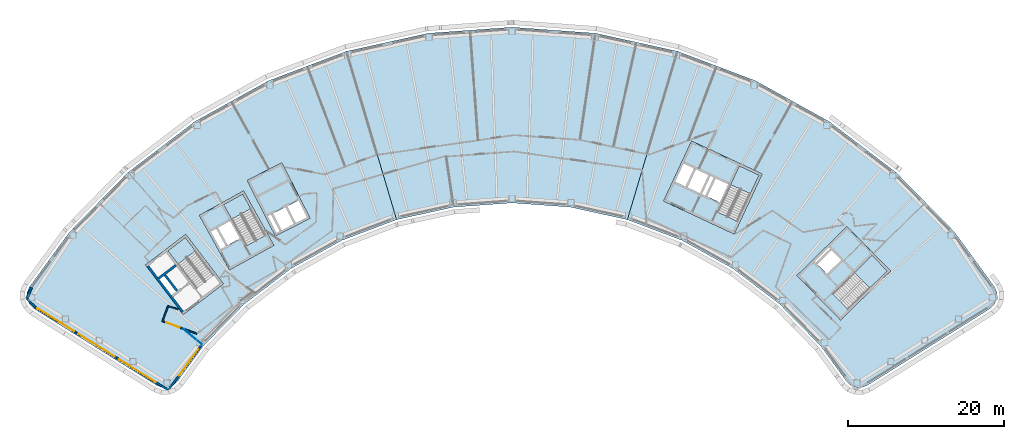
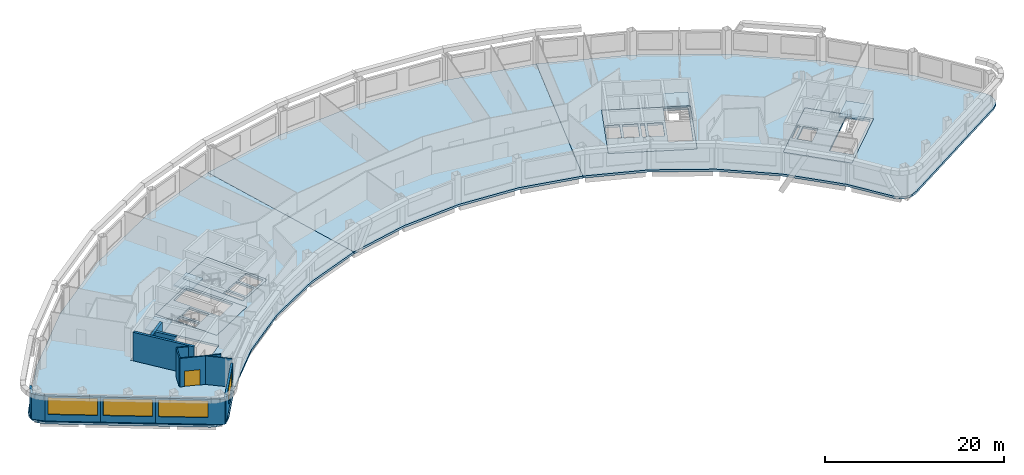
# One storey, part 4 of 13: 13 walls, 11 slabs, 4 windows, 1 door, 5 openings, 4 elements without a shape of their own.
"""IFC4 building model written with IfcOpenShell, lengths in metres."""

from ifc_helpers import new_model, si_unit, direction, frame, frame_2d, origin, place, context, subcontext, project, spatial, polyline, rectangle, outline, extrude, material, layer, layer_set, type_object, element, fill, aggregate, save


model = new_model("IFC4")

# Units and contexts
model_context = context("Model", 3, precision=1e-05, world=origin(), true_north=direction((0.0, 1.0)))
body_context = subcontext(model_context, "Body", "Model", "MODEL_VIEW")
ifc_project = project(units=[si_unit("LENGTHUNIT", "METRE"), si_unit("AREAUNIT", "SQUARE_METRE"), si_unit("VOLUMEUNIT", "CUBIC_METRE"), si_unit("PLANEANGLEUNIT", "RADIAN"), si_unit("MASSUNIT", "GRAM", prefix="KILO")], contexts=[model_context])

# Site, building, storey
site_placement = place(None, origin())
site = spatial("IfcSite", under=ifc_project, at=site_placement, CompositionType="ELEMENT")
building_placement = place(site_placement, origin())
building = spatial("IfcBuilding", under=site, at=building_placement, Name="Tuul Gate Civic Tower", CompositionType="ELEMENT")
storey_placement = place(building_placement, frame((0.0, 0.0, 230.5)))
storey = spatial("IfcBuildingStorey", under=building, at=storey_placement, Name="Level 52", CompositionType="ELEMENT", Elevation=230.5)

# Slabs
ifc_material_1 = material(Name="Concrete C40/50", Category="concrete")
ifc_layer_1 = layer(ifc_material_1, 0.300048828125)
ifc_layer_set_1 = layer_set([ifc_layer_1], Name="Concrete C40/50")
slab_type_1 = type_object("IfcSlabType", Name="Core floor slab 300", PredefinedType="FLOOR", material=ifc_layer_set_1)
slab_1_placement = place(storey_placement, frame((0.0, 0.0, -0.300048828125)))
element("IfcSlab", 1, at=slab_1_placement, inside=storey, type_object=slab_type_1, Name="FLOOR SLAB", PredefinedType="FLOOR", context=body_context, shape_type="SweptSolid", body=[
    extrude(outline(polyline([(-24.638916015625, -8.846923828125), (-28.51708984375, -1.849853515625), (-34.2021484375, -5.0009765625), (-30.32421875, -11.998046875), (-24.638916015625, -8.846923828125)]), holes=[polyline([(-29.0185546875, -7.958740234375), (-30.254638671875, -5.728515625), (-31.785400390625, -6.576904296875), (-30.54931640625, -8.80712890625), (-29.0185546875, -7.958740234375)]), polyline([(-30.8115234375, -8.95263671875), (-32.047607421875, -6.72216796875), (-32.8349609375, -7.158447265625), (-31.5986328125, -9.388916015625), (-30.8115234375, -8.95263671875)]), polyline([(-25.702392578125, -7.548828125), (-28.14990234375, -8.905517578125), (-31.08203125, -3.615234375), (-28.63427734375, -2.2587890625), (-25.702392578125, -7.548828125)])]), origin(), (0.0, 0.0, 1.0), 0.300048828125),
])
slab_2_placement = place(storey_placement, frame((0.0, 0.0, -0.300048828125)))
element("IfcSlab", 2, at=slab_2_placement, inside=storey, type_object=slab_type_1, Name="FLOOR SLAB", PredefinedType="FLOOR", context=body_context, shape_type="SweptSolid", body=[
    extrude(outline(polyline([(48.117919921875, -18.43310546875), (54.545166015625, -12.1328125), (48.945068359375, -6.419921875), (42.517822265625, -12.719970703125), (48.117919921875, -18.43310546875)]), holes=[polyline([(46.373779296875, -12.510986328125), (48.19482421875, -10.725830078125), (46.969970703125, -9.47607421875), (45.14892578125, -11.26123046875), (46.373779296875, -12.510986328125)]), polyline([(44.93896484375, -11.046875), (46.760009765625, -9.261962890625), (46.514892578125, -9.011962890625), (44.69384765625, -10.797119140625), (44.93896484375, -11.046875)]), polyline([(49.086181640625, -17.062744140625), (47.12744140625, -15.064208984375), (52.160888671875, -10.130126953125), (54.11962890625, -12.128662109375), (49.086181640625, -17.062744140625)])]), origin(), (0.0, 0.0, 1.0), 0.300048828125),
])
slab_3_placement = place(storey_placement, frame((0.0, 0.0, -0.300048828125)))
element("IfcSlab", 3, at=slab_3_placement, inside=storey, type_object=slab_type_1, Name="FLOOR SLAB", PredefinedType="FLOOR", context=body_context, shape_type="SweptSolid", body=[
    extrude(outline(polyline([(34.465087890625, -7.385986328125), (38.056884765625, 0.31787109375), (28.993896484375, 4.543701171875), (25.40185546875, -3.159912109375), (34.465087890625, -7.385986328125)]), holes=[polyline([(32.60888671875, -3.32080078125), (33.6865234375, -1.009765625), (32.1005859375, -0.27001953125), (31.02294921875, -2.581298828125), (32.60888671875, -3.32080078125)]), polyline([(30.0712890625, -2.137451171875), (31.14892578125, 0.173583984375), (29.562744140625, 0.9130859375), (28.4853515625, -1.39794921875), (30.0712890625, -2.137451171875)]), polyline([(30.751220703125, -2.454345703125), (31.82861328125, -0.143310546875), (31.4208984375, 0.046875), (30.34326171875, -2.264404296875), (30.751220703125, -2.454345703125)]), polyline([(28.21337890625, -1.27099609375), (29.291015625, 1.0400390625), (27.8408203125, 1.71630859375), (26.76318359375, -0.594970703125), (28.21337890625, -1.27099609375)]), polyline([(34.889892578125, -5.7626953125), (32.353759765625, -4.580078125), (35.120849609375, 1.354736328125), (37.6572265625, 0.17236328125), (34.889892578125, -5.7626953125)])]), origin(), (0.0, 0.0, 1.0), 0.300048828125),
])
ifc_material_2 = material(Name="Concrete C40/50", Category="concrete")
ifc_layer_2 = layer(ifc_material_2, 0.300048828125)
ifc_layer_set_2 = layer_set([ifc_layer_2], Name="Concrete C40/50")
slab_type_2 = type_object("IfcSlabType", Name="Core floor slab 300 non-bearing", PredefinedType="FLOOR", material=ifc_layer_set_2)
slab_4_placement = place(storey_placement, frame((0.0, 0.0, -0.300048828125)))
element("IfcSlab", 4, at=slab_4_placement, inside=storey, type_object=slab_type_2, Name="FLOOR SLAB", PredefinedType="FLOOR", context=body_context, shape_type="SweptSolid", body=[
    extrude(outline(polyline([(-19.98095703125, -5.365966796875), (-23.613037109375, 1.761962890625), (-28.068115234375, -0.508056640625), (-24.43603515625, -7.635986328125), (-19.98095703125, -5.365966796875)]), holes=[polyline([(-20.384521484375, -5.23486328125), (-21.47412109375, -3.096435546875), (-22.899658203125, -3.822998046875), (-21.81005859375, -5.961181640625), (-20.384521484375, -5.23486328125)]), polyline([(-22.077392578125, -6.097412109375), (-23.1669921875, -3.958984375), (-24.726318359375, -4.753662109375), (-23.63671875, -6.89208984375), (-22.077392578125, -6.097412109375)]), polyline([(-23.8359375, -7.161865234375), (-24.99365234375, -4.889892578125), (-25.5283203125, -5.162109375), (-24.37060546875, -7.434326171875), (-23.8359375, -7.161865234375)])]), origin(), (0.0, 0.0, 1.0), 0.300048828125),
])

# Stair, slab
ifc_material_3 = material(Name="Concrete C40/50", Category="concrete")
stair_type = type_object("IfcStairType", Name="Exit stair", PredefinedType="HALF_TURN_STAIR", material=ifc_material_3)
stair_1_placement = place(storey_placement, origin())
stair_1 = element("IfcStair", 5, at=stair_1_placement, inside=storey, type_object=stair_type, Name="Level 52 ST-1", PredefinedType="HALF_TURN_STAIR")
ifc_material_4 = material(Name="Concrete C40/50", Category="concrete")
ifc_layer_3 = layer(ifc_material_4, 0.199951171875)
ifc_layer_set_3 = layer_set([ifc_layer_3], Name="Concrete C40/50")
slab_type_3 = type_object("IfcSlabType", Name="Exit stair landing", PredefinedType="LANDING", material=ifc_layer_set_3)
slab_5_placement = place(storey_placement, frame((0.0, 0.0, 1.89990234375)))
slab_5 = element("IfcSlab", 6, at=slab_5_placement, type_object=slab_type_3, Name="ST-1 landing 1", PredefinedType="LANDING", context=body_context, shape_type="SweptSolid", body=[
    extrude(outline(polyline([(-34.699462890625, -9.554931640625), (-36.9287109375, -11.252197265625), (-38.23193359375, -9.540283203125), (-36.0029296875, -7.843017578125), (-34.699462890625, -9.554931640625)])), origin(), (0.0, 0.0, 1.0), 0.2001953125),
])
aggregate(stair_1, [slab_5])

stair_2_placement = place(storey_placement, origin())
stair_2 = element("IfcStair", 7, at=stair_2_placement, inside=storey, type_object=stair_type, Name="Level 52 ST-2", PredefinedType="HALF_TURN_STAIR")
slab_6_placement = place(storey_placement, frame((0.0, 0.0, 1.89990234375)))
slab_6 = element("IfcSlab", 8, at=slab_6_placement, type_object=slab_type_3, Name="ST-2 landing 1", PredefinedType="LANDING", context=body_context, shape_type="SweptSolid", body=[
    extrude(outline(polyline([(-27.5908203125, -4.138427734375), (-30.041015625, -5.49658203125), (-31.084228515625, -3.61474609375), (-28.6337890625, -2.256591796875), (-27.5908203125, -4.138427734375)])), origin(), (0.0, 0.0, 1.0), 0.2001953125),
])
aggregate(stair_2, [slab_6])

stair_3_placement = place(storey_placement, origin())
stair_3 = element("IfcStair", 9, at=stair_3_placement, inside=storey, type_object=stair_type, Name="Level 52 ST-3", PredefinedType="HALF_TURN_STAIR")
slab_7_placement = place(storey_placement, frame((0.0, 0.0, 1.89990234375)))
slab_7 = element("IfcSlab", 10, at=slab_7_placement, type_object=slab_type_3, Name="ST-3 landing 1", PredefinedType="LANDING", context=body_context, shape_type="SweptSolid", body=[
    extrude(outline(polyline([(51.871337890625, -14.3349609375), (49.91015625, -12.334228515625), (52.160888671875, -10.1279296875), (54.1220703125, -12.128662109375), (51.871337890625, -14.3349609375)])), origin(), (0.0, 0.0, 1.0), 0.2001953125),
])
aggregate(stair_3, [slab_7])

stair_4_placement = place(storey_placement, origin())
stair_4 = element("IfcStair", 11, at=stair_4_placement, inside=storey, type_object=stair_type, Name="Level 52 ST-4", PredefinedType="HALF_TURN_STAIR")
slab_8_placement = place(storey_placement, frame((0.0, 0.0, 1.89990234375)))
slab_8 = element("IfcSlab", 12, at=slab_8_placement, type_object=slab_type_3, Name="ST-4 landing 1", PredefinedType="LANDING", context=body_context, shape_type="SweptSolid", body=[
    extrude(outline(polyline([(36.538818359375, -2.230224609375), (33.999755859375, -1.046142578125), (35.1201171875, 1.35693359375), (37.659423828125, 0.173095703125), (36.538818359375, -2.230224609375)])), origin(), (0.0, 0.0, 1.0), 0.2001953125),
])
aggregate(stair_4, [slab_8])

# Slabs
ifc_material_5 = material(Name="Concrete C35/45", Category="concrete")
ifc_layer_4 = layer(ifc_material_5, 0.300048828125)
ifc_layer_set_4 = layer_set([ifc_layer_4], Name="Concrete C35/45")
slab_type_4 = type_object("IfcSlabType", Name="STR-FLOOR-SLAB-300", PredefinedType="FLOOR", material=ifc_layer_set_4)
slab_9_placement = place(storey_placement, frame((0.0, 0.0, -0.300048828125)))
element("IfcSlab", 13, at=slab_9_placement, inside=storey, type_object=slab_type_4, Name="Level 52/slab/W", PredefinedType="FLOOR", context=body_context, shape_type="SweptSolid", body=[
    extrude(outline(polyline([(-15.89404296875, -8.2041015625), (-8.875, -5.549072265625), (-15.30908203125, 16.072998046875), (-25.376953125, 12.264892578125), (-34.7919921875, 7.0458984375), (-43.35595703125, 0.52587890625), (-50.89111328125, -7.160888671875), (-55.971923828125, -14.117919921875), (-56.30810546875, -14.861083984375), (-56.320068359375, -15.677001953125), (-56.006103515625, -16.428955078125), (-55.416015625, -16.992919921875), (-39.68603515625, -26.822998046875), (-38.991943359375, -27.093017578125), (-38.2470703125, -27.090087890625), (-37.554931640625, -26.81494140625), (-37.011962890625, -26.305908203125), (-33.681884765625, -21.748046875), (-28.428955078125, -16.388916015625), (-22.4580078125, -11.842041015625), (-15.89404296875, -8.2041015625)]), holes=[polyline([(-31.10009765625, -13.7890625), (-36.27197265625, -17.72705078125), (-41.117919921875, -11.362060546875), (-35.946044921875, -7.424072265625), (-31.10009765625, -13.7890625)]), polyline([(-24.638916015625, -8.846923828125), (-30.323974609375, -11.998046875), (-34.201904296875, -5.0009765625), (-28.51708984375, -1.85009765625), (-24.638916015625, -8.846923828125)]), polyline([(-24.43603515625, -7.635986328125), (-28.068115234375, -0.508056640625), (-23.613037109375, 1.761962890625), (-19.98095703125, -5.365966796875), (-24.43603515625, -7.635986328125)])]), origin(), (0.0, 0.0, 1.0), 0.300048828125),
])
slab_10_placement = place(storey_placement, frame((0.0, 0.0, -0.300048828125)))
element("IfcSlab", 14, at=slab_10_placement, inside=storey, type_object=slab_type_4, Name="Level 52/slab/M", PredefinedType="FLOOR", context=body_context, shape_type="SweptSolid", body=[
    extrude(outline(polyline([(13.425048828125, -3.93408203125), (20.75390625, -5.549072265625), (27.18798828125, 16.072998046875), (16.676025390625, 18.388916015625), (5.93994140625, 19.1669921875), (-4.7958984375, 18.388916015625), (-15.30810546875, 16.072998046875), (-15.30908203125, 16.072998046875), (-8.875, -5.549072265625), (-8.8740234375, -5.549072265625), (-1.544921875, -3.93408203125), (5.93994140625, -3.39208984375), (13.425048828125, -3.93408203125)])), origin(), (0.0, 0.0, 1.0), 0.300048828125),
])
slab_11_placement = place(storey_placement, frame((0.0, 0.0, -0.300048828125)))
element("IfcSlab", 15, at=slab_11_placement, inside=storey, type_object=slab_type_4, Name="Level 52/slab/E", PredefinedType="FLOOR", context=body_context, shape_type="SweptSolid", body=[
    extrude(outline(polyline([(50.8720703125, -27.093017578125), (51.56591796875, -26.822998046875), (67.2958984375, -16.992919921875), (67.885009765625, -16.428955078125), (68.199951171875, -15.677001953125), (68.18798828125, -14.861083984375), (67.85107421875, -14.117919921875), (62.77099609375, -7.160888671875), (55.235107421875, 0.52587890625), (46.6708984375, 7.0458984375), (37.256103515625, 12.264892578125), (27.18798828125, 16.072998046875), (20.75390625, -5.549072265625), (27.77294921875, -8.2041015625), (34.3369140625, -11.842041015625), (40.30810546875, -16.388916015625), (45.56201171875, -21.748046875), (48.89111328125, -26.305908203125), (49.43505859375, -26.81494140625), (50.126953125, -27.090087890625), (50.8720703125, -27.093017578125)]), holes=[polyline([(48.117919921875, -18.43310546875), (42.51806640625, -12.719970703125), (48.945068359375, -6.419921875), (54.544921875, -12.133056640625), (48.117919921875, -18.43310546875)]), polyline([(25.402099609375, -3.159912109375), (28.993896484375, 4.5439453125), (38.056884765625, 0.318115234375), (34.465087890625, -7.385986328125), (25.402099609375, -3.159912109375)])]), origin(), (0.0, 0.0, 1.0), 0.300048828125),
])

# Walls
ifc_material_6 = material(Name="Concrete C50/60", Category="concrete")
ifc_layer_5 = layer(ifc_material_6, 0.300048828125)
ifc_layer_set_5 = layer_set([ifc_layer_5], Name="Concrete C50/60")
wall_type_1 = type_object("IfcWallType", Name="Core wall C50/60", PredefinedType="SHEAR", material=ifc_layer_set_5)
wall_1_placement = place(storey_placement, frame((-37.197509765625, -11.39306640625, 0.0), z_axis=(0.0, 0.0, 1.0), x_axis=(-0.795583820278, -0.605843531707, 0.0)))
element("IfcWall", 16, at=wall_1_placement, inside=storey, type_object=wall_type_1, Name="Core wall", PredefinedType="SHEAR", context=body_context, shape_type="SweptSolid", body=[
    extrude(rectangle(XDim=2.7998046875, YDim=0.300048828125, at=frame_2d((1.39990234375, 0.0))), origin(), (0.0, 0.0, 1.0), 3.89990234375),
])
wall_2_placement = place(storey_placement, frame((-37.073486328125, -14.6923828125, 0.0), z_axis=(0.0, 0.0, 1.0), x_axis=(-0.605728760074, 0.79567120673, 0.0)))
element("IfcWall", 17, at=wall_2_placement, inside=storey, type_object=wall_type_1, Name="Core wall", PredefinedType="SHEAR", context=body_context, shape_type="SweptSolid", body=[
    extrude(rectangle(XDim=2.550048828125, YDim=0.300048828125, at=frame_2d((1.27490234375, 0.0))), origin(), (0.0, 0.0, 1.0), 3.89990234375),
])
wall_3_placement = place(storey_placement, frame((-36.333984375, -17.397216796875, 0.0), z_axis=(0.0, 0.0, 1.0), x_axis=(-0.605753921168, 0.795652051458, 0.0)))
element("IfcWall", 18, at=wall_3_placement, inside=storey, type_object=wall_type_1, Name="Core wall", PredefinedType="SHEAR", context=body_context, shape_type="SweptSolid", body=[
    extrude(rectangle(XDim=7.400146484375, YDim=0.300048828125, at=frame_2d((3.7001953125, 0.0))), origin(), (0.0, 0.0, 1.0), 3.89990234375),
])
ifc_material_7 = material(Name="Gypsum board partition")
ifc_layer_6 = layer(ifc_material_7, 0.14990234375)
ifc_layer_set_6 = layer_set([ifc_layer_6], Name="Gypsum board partition")
wall_type_2 = type_object("IfcWallType", Name="Corridor wall P150", PredefinedType="PARTITIONING", material=ifc_layer_set_6)
wall_4_placement = place(storey_placement, frame((-38.2177734375, -16.6123046875, 0.0), z_axis=(0.0, 0.0, 1.0), x_axis=(0.93943094264, -0.342738244161, 0.0)))
element("IfcWall", 19, at=wall_4_placement, inside=storey, type_object=wall_type_2, Name="p047", PredefinedType="PARTITIONING", context=body_context, shape_type="SweptSolid", body=[
    extrude(rectangle(XDim=1.339111328125, YDim=0.14990234375, at=frame_2d((0.66943359375, 0.0))), origin(), (0.0, 0.0, 1.0), 3.89990234375),
])
wall_5_placement = place(storey_placement, frame((-38.93701171875, -18.58544921875, 0.0), z_axis=(0.0, 0.0, 1.0), x_axis=(0.342471004807, 0.939528398116, 0.0)))
element("IfcWall", 20, at=wall_5_placement, inside=storey, type_object=wall_type_2, Name="p048", PredefinedType="PARTITIONING", context=body_context, shape_type="SweptSolid", body=[
    extrude(rectangle(XDim=2.10009765625, YDim=0.14990234375, at=frame_2d((1.050048828125, 0.0))), origin(), (0.0, 0.0, 1.0), 3.89990234375),
])

# Wall, opening, door
wall_6_placement = place(storey_placement, frame((-38.93701171875, -18.58544921875, 0.0), z_axis=(0.0, 0.0, 1.0), x_axis=(0.93953975691, -0.342439841702, 0.0)))
wall_6 = element("IfcWall", 21, at=wall_6_placement, inside=storey, type_object=wall_type_2, Name="p049", PredefinedType="PARTITIONING", context=body_context, shape_type="SweptSolid", body=[
    extrude(rectangle(XDim=4.697509765625, YDim=0.14990234375, at=frame_2d((2.3486328125, 0.0))), origin(), (0.0, 0.0, 1.0), 3.89990234375),
])
opening_1_placement = place(wall_6_placement, frame((0.522216796875, 0.0, 0.0)))
opening_1 = element("IfcOpeningElement", 22, at=opening_1_placement, cuts=wall_6, Name="Opening S-D13", PredefinedType="OPENING", context=body_context, shape_type="SweptSolid", body=[
    extrude(rectangle(XDim=1.800048828125, YDim=2.10009765625, at=frame_2d((0.89990234375, 1.050048828125))), frame((0.0, 0.0849609375, 0.0), z_axis=(0.0, -1.0, 0.0), x_axis=(1.0, 0.0, 0.0)), (0.0, 0.0, 1.0), 0.169921875),
])
ifc_material_8 = material(Name="Timber door leaf, double", Category="wood")
door_type = type_object("IfcDoorType", Name="Door D18", OperationType="DOUBLE_DOOR_SINGLE_SWING", PredefinedType="DOOR", material=ifc_material_8)
door_placement = place(opening_1_placement, frame((1.800048828125, 0.0, 0.0), z_axis=(0.0, 0.0, 1.0), x_axis=(-1.0, 0.0, 0.0)))
door = element("IfcDoor", 23, at=door_placement, inside=storey, type_object=door_type, Name="Door S-D13", OperationType="DOUBLE_DOOR_SINGLE_SWING", OverallHeight=2.10009765625, OverallWidth=1.800048828125, PredefinedType="DOOR", context=body_context, shape_type="SweptSolid", body=[
    extrude(rectangle(XDim=1.800048828125, YDim=2.10009765625, at=frame_2d((0.900146484375, 1.050048828125))), frame((0.0, 0.02490234375, 0.0), z_axis=(0.0, -1.0, 0.0), x_axis=(1.0, 0.0, 0.0)), (0.0, 0.0, 1.0), 0.050048828125),
])
fill(opening_1, door)

# Walls
ifc_material_9 = material(Name="Precast concrete C40/50", Category="concrete")
ifc_layer_7 = layer(ifc_material_9, 0.25)
ifc_layer_set_7 = layer_set([ifc_layer_7], Name="Precast concrete C40/50")
wall_type_3 = type_object("IfcWallType", Name="External wall", PredefinedType="STANDARD", material=ifc_layer_set_7)
wall_7_placement = place(storey_placement, frame((-55.737060546875, -14.257568359375, 0.0), z_axis=(0.0, 0.0, 1.0), x_axis=(-0.411952945487, -0.911205119995, 0.0)))
element("IfcWall", 24, at=wall_7_placement, inside=storey, type_object=wall_type_3, Name="External wall", PredefinedType="STANDARD", context=body_context, shape_type="SweptSolid", body=[
    extrude(rectangle(XDim=1.57177734375, YDim=0.25, at=frame_2d((0.785888671875, 0.0))), origin(), (0.0, 0.0, 1.0), 3.449951171875),
])
wall_8_placement = place(storey_placement, frame((-56.384521484375, -15.689697265625, 0.0), z_axis=(0.0, 0.0, 1.0), x_axis=(0.722256777638, -0.691625004722, 0.0)))
element("IfcWall", 25, at=wall_8_placement, inside=storey, type_object=wall_type_3, Name="External wall", PredefinedType="STANDARD", context=body_context, shape_type="SweptSolid", body=[
    extrude(rectangle(XDim=1.570068359375, YDim=0.25, at=frame_2d((0.78515625, 0.0))), origin(), (0.0, 0.0, 1.0), 3.449951171875),
])

# Wall, opening, window
wall_9_placement = place(storey_placement, frame((-55.270751953125, -16.760009765625, 0.0), z_axis=(0.0, 0.0, 1.0), x_axis=(0.848053758074, -0.529910203164, 0.0)))
wall_9 = element("IfcWall", 26, at=wall_9_placement, inside=storey, type_object=wall_type_3, Name="External wall", PredefinedType="STANDARD", context=body_context, shape_type="SweptSolid", body=[
    extrude(rectangle(XDim=6.182861328125, YDim=0.25, at=frame_2d((3.09130859375, 0.0))), origin(), (0.0, 0.0, 1.0), 3.449951171875),
])
opening_2_placement = place(wall_9_placement, frame((0.31640625, 0.0, 0.89990234375)))
opening_2 = element("IfcOpeningElement", 27, at=opening_2_placement, cuts=wall_9, Name="Opening W24", PredefinedType="OPENING", context=body_context, shape_type="SweptSolid", body=[
    extrude(rectangle(XDim=5.550048828125, YDim=2.300048828125, at=frame_2d((2.77490234375, 1.14990234375))), frame((0.0, 0.135009765625, 0.0), z_axis=(0.0, -1.0, 0.0), x_axis=(1.0, 0.0, 0.0)), (0.0, 0.0, 1.0), 0.27001953125),
])
ifc_material_10 = material(Name="Glass", Category="glass")
window_type_1 = type_object("IfcWindowType", Name="Window W24 5550 x 2300", PartitioningType="SINGLE_PANEL", PredefinedType="WINDOW", material=ifc_material_10)
window_1_placement = place(opening_2_placement, origin())
window_1 = element("IfcWindow", 28, at=window_1_placement, inside=storey, type_object=window_type_1, Name="Window", OverallHeight=2.300048828125, OverallWidth=5.550048828125, PartitioningType="SINGLE_PANEL", PredefinedType="WINDOW", context=body_context, shape_type="SweptSolid", body=[
    extrude(rectangle(XDim=5.550048828125, YDim=2.300048828125, at=frame_2d((2.77490234375, 1.14990234375))), frame((0.0, 0.030029296875, 0.0), z_axis=(0.0, -1.0, 0.0), x_axis=(1.0, 0.0, 0.0)), (0.0, 0.0, 1.0), 0.06005859375),
])
fill(opening_2, window_1)

wall_10_placement = place(storey_placement, frame((-50.02734375, -20.036376953125, 0.0), z_axis=(0.0, 0.0, 1.0), x_axis=(0.848042669488, -0.529927948619, 0.0)))
wall_10 = element("IfcWall", 29, at=wall_10_placement, inside=storey, type_object=wall_type_3, Name="External wall", PredefinedType="STANDARD", context=body_context, shape_type="SweptSolid", body=[
    extrude(rectangle(XDim=6.1826171875, YDim=0.25, at=frame_2d((3.09130859375, 0.0))), origin(), (0.0, 0.0, 1.0), 3.449951171875),
])
opening_3_placement = place(wall_10_placement, frame((0.31640625, 0.0, 0.89990234375)))
opening_3 = element("IfcOpeningElement", 30, at=opening_3_placement, cuts=wall_10, Name="Opening W24", PredefinedType="OPENING", context=body_context, shape_type="SweptSolid", body=[
    extrude(rectangle(XDim=5.550048828125, YDim=2.300048828125, at=frame_2d((2.77490234375, 1.14990234375))), frame((0.0, 0.135009765625, 0.0), z_axis=(0.0, -1.0, 0.0), x_axis=(1.0, 0.0, 0.0)), (0.0, 0.0, 1.0), 0.27001953125),
])
window_2_placement = place(opening_3_placement, origin())
window_2 = element("IfcWindow", 31, at=window_2_placement, inside=storey, type_object=window_type_1, Name="Window", OverallHeight=2.300048828125, OverallWidth=5.550048828125, PartitioningType="SINGLE_PANEL", PredefinedType="WINDOW", context=body_context, shape_type="SweptSolid", body=[
    extrude(rectangle(XDim=5.550048828125, YDim=2.300048828125, at=frame_2d((2.77490234375, 1.14990234375))), frame((0.0, 0.030029296875, 0.0), z_axis=(0.0, -1.0, 0.0), x_axis=(1.0, 0.0, 0.0)), (0.0, 0.0, 1.0), 0.06005859375),
])
fill(opening_3, window_2)

wall_11_placement = place(storey_placement, frame((-44.7841796875, -23.312744140625, 0.0), z_axis=(0.0, 0.0, 1.0), x_axis=(0.848066986554, -0.529889032078, 0.0)))
wall_11 = element("IfcWall", 32, at=wall_11_placement, inside=storey, type_object=wall_type_3, Name="External wall", PredefinedType="STANDARD", context=body_context, shape_type="SweptSolid", body=[
    extrude(rectangle(XDim=7.787353515625, YDim=0.25, at=frame_2d((3.8935546875, 0.0))), origin(), (0.0, 0.0, 1.0), 3.449951171875),
])
opening_4_placement = place(wall_11_placement, frame((0.31640625, 0.0, 0.89990234375)))
opening_4 = element("IfcOpeningElement", 33, at=opening_4_placement, cuts=wall_11, Name="Opening W24", PredefinedType="OPENING", context=body_context, shape_type="SweptSolid", body=[
    extrude(rectangle(XDim=5.550048828125, YDim=2.300048828125, at=frame_2d((2.77490234375, 1.14990234375))), frame((0.0, 0.135009765625, 0.0), z_axis=(0.0, -1.0, 0.0), x_axis=(1.0, 0.0, 0.0)), (0.0, 0.0, 1.0), 0.27001953125),
])
window_3_placement = place(opening_4_placement, origin())
window_3 = element("IfcWindow", 34, at=window_3_placement, inside=storey, type_object=window_type_1, Name="Window", OverallHeight=2.300048828125, OverallWidth=5.550048828125, PartitioningType="SINGLE_PANEL", PredefinedType="WINDOW", context=body_context, shape_type="SweptSolid", body=[
    extrude(rectangle(XDim=5.550048828125, YDim=2.300048828125, at=frame_2d((2.77490234375, 1.14990234375))), frame((0.0, 0.030029296875, 0.0), z_axis=(0.0, -1.0, 0.0), x_axis=(1.0, 0.0, 0.0)), (0.0, 0.0, 1.0), 0.06005859375),
])
fill(opening_4, window_3)

wall_12_placement = place(storey_placement, frame((-38.179931640625, -27.439208984375, 0.0), z_axis=(0.0, 0.0, 1.0), x_axis=(0.589856460688, 0.807508114996, 0.0)))
wall_12 = element("IfcWall", 35, at=wall_12_placement, inside=storey, type_object=wall_type_3, Name="External wall", PredefinedType="STANDARD", context=body_context, shape_type="SweptSolid", body=[
    extrude(rectangle(XDim=7.0341796875, YDim=0.25, at=frame_2d((3.51708984375, 0.0))), origin(), (0.0, 0.0, 1.0), 3.449951171875),
])
opening_5_placement = place(wall_12_placement, frame((2.356689453125, 0.0, 0.89990234375)))
opening_5 = element("IfcOpeningElement", 36, at=opening_5_placement, cuts=wall_12, Name="Opening W25", PredefinedType="OPENING", context=body_context, shape_type="SweptSolid", body=[
    extrude(rectangle(XDim=4.14990234375, YDim=2.300048828125, at=frame_2d((2.074951171875, 1.14990234375))), frame((0.0, 0.135009765625, 0.0), z_axis=(0.0, -1.0, 0.0), x_axis=(1.0, 0.0, 0.0)), (0.0, 0.0, 1.0), 0.27001953125),
])
ifc_material_11 = material(Name="Glass", Category="glass")
window_type_2 = type_object("IfcWindowType", Name="Window W25 4150 x 2300", PartitioningType="SINGLE_PANEL", PredefinedType="WINDOW", material=ifc_material_11)
window_4_placement = place(opening_5_placement, origin())
window_4 = element("IfcWindow", 37, at=window_4_placement, inside=storey, type_object=window_type_2, Name="Window", OverallHeight=2.300048828125, OverallWidth=4.14990234375, PartitioningType="SINGLE_PANEL", PredefinedType="WINDOW", context=body_context, shape_type="SweptSolid", body=[
    extrude(rectangle(XDim=4.14990234375, YDim=2.300048828125, at=frame_2d((2.074951171875, 1.14990234375))), frame((0.0, 0.030029296875, 0.0), z_axis=(0.0, -1.0, 0.0), x_axis=(1.0, 0.0, 0.0)), (0.0, 0.0, 1.0), 0.06005859375),
])
fill(opening_5, window_4)

# Wall
ifc_material_12 = material(Name="Gypsum board partition")
ifc_layer_8 = layer(ifc_material_12, 0.10009765625)
ifc_layer_set_8 = layer_set([ifc_layer_8], Name="Gypsum board partition")
wall_type_4 = type_object("IfcWallType", Name="Partition P100", PredefinedType="PARTITIONING", material=ifc_layer_set_8)
wall_13_placement = place(storey_placement, frame((-36.264404296875, -19.5595703125, 0.0), z_axis=(0.0, 0.0, 1.0), x_axis=(0.762809082382, -0.64662377302, 0.0)))
element("IfcWall", 38, at=wall_13_placement, inside=storey, type_object=wall_type_4, Name="p050", PredefinedType="PARTITIONING", context=body_context, shape_type="SweptSolid", body=[
    extrude(rectangle(XDim=3.114013671875, YDim=0.10009765625, at=frame_2d((1.55712890625, 0.0))), origin(), (0.0, 0.0, 1.0), 3.89990234375),
])

save(model, "model.ifc")
